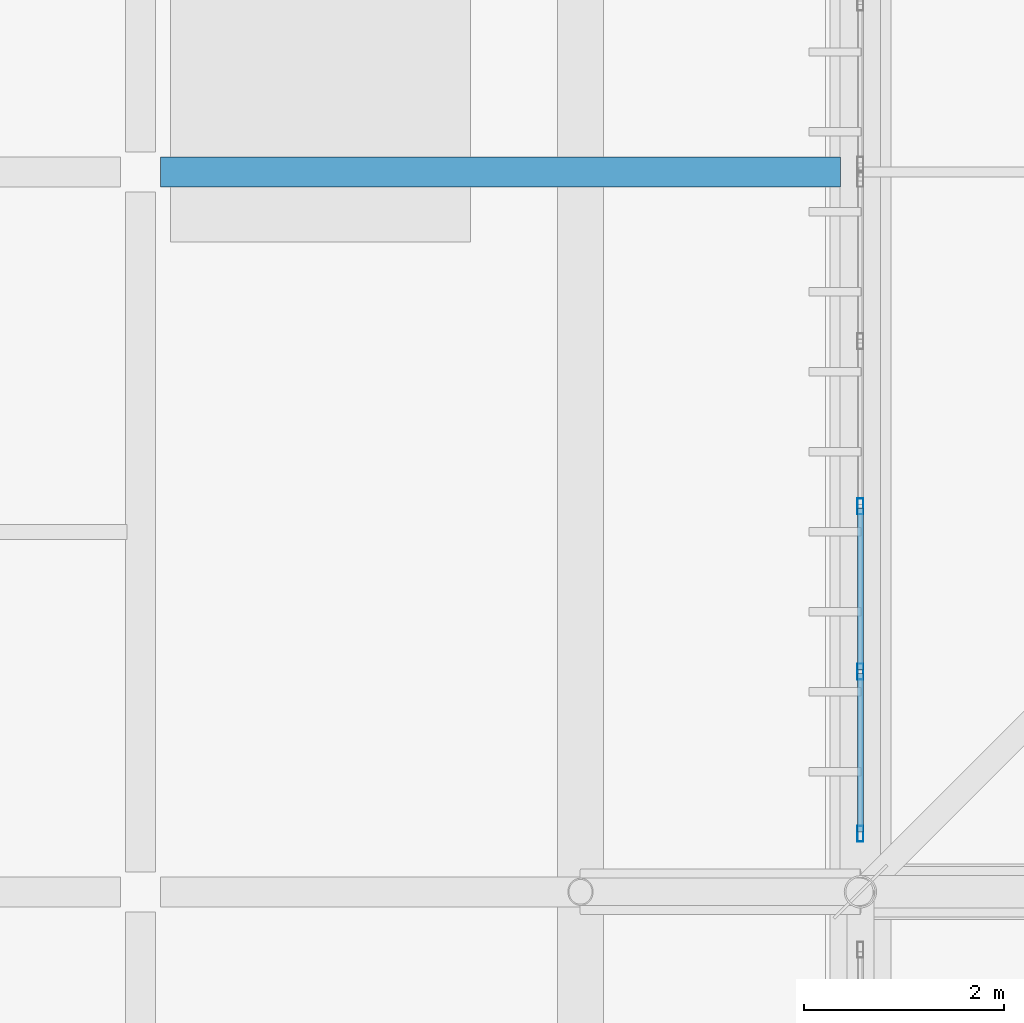
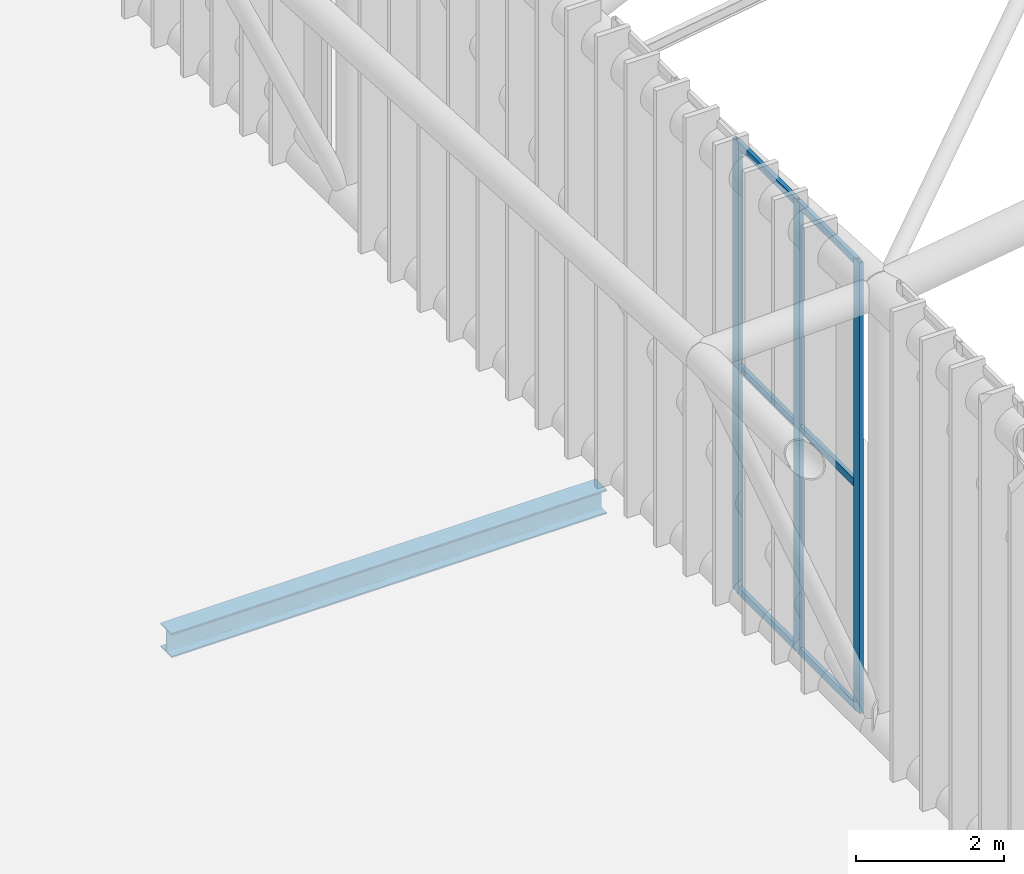
# One storey, part 175 of 397: 9 members, 1 beam, 1 element without a shape of its own.
"""IFC4 building model written with IfcOpenShell, lengths in metres."""

from ifc_helpers import new_model, si_unit, direction, frame, origin, origin_2d, place, context, subcontext, project, spatial, hollow_rectangle, i_section, extrude, material, material_profile, profile_set, type_object, element, aggregate, save


model = new_model("IFC4")

# Units and contexts
model_context = context("Model", 3, precision=1e-05, world=origin(), true_north=direction((0.0, 1.0)))
body_context = subcontext(model_context, "Body", "Model", "MODEL_VIEW")
ifc_project = project(units=[si_unit("LENGTHUNIT", "METRE"), si_unit("AREAUNIT", "SQUARE_METRE"), si_unit("VOLUMEUNIT", "CUBIC_METRE"), si_unit("PLANEANGLEUNIT", "RADIAN"), si_unit("MASSUNIT", "GRAM", prefix="KILO")], contexts=[model_context])

# Site, building, storey
site_placement = place(None, origin())
site = spatial("IfcSite", under=ifc_project, at=site_placement, CompositionType="ELEMENT")
building_placement = place(site_placement, origin())
building = spatial("IfcBuilding", under=site, at=building_placement, Name="Qandorah Velis Arena", CompositionType="ELEMENT")
storey_placement = place(building_placement, frame((0.0, 0.0, 27.5)))
storey = spatial("IfcBuildingStorey", under=building, at=storey_placement, Name="RF", CompositionType="ELEMENT", Elevation=27.5)

# Curtain wall, members
ifc_material_1 = material(Name="Solar-control low-E double glazing", Category="glass")
curtain_wall_type = type_object("IfcCurtainWallType", Name="ARC-CW-SYS05", PredefinedType="USERDEFINED", material=ifc_material_1)
curtain_wall_placement = place(storey_placement, origin())
curtain_wall = element("IfcCurtainWall", 1, at=curtain_wall_placement, inside=storey, type_object=curtain_wall_type, Name="Unitised curtain wall CROWN-1-05S1", ObjectType="UNITISED CURTAIN WALL", PredefinedType="USERDEFINED")
ifc_material_2 = material(Name="Champagne-bronze anodized aluminium 6063-T6", Category="aluminium")
ifc_material_profile_1 = material_profile(ifc_material_2, hollow_rectangle(XDim=0.06005859375, YDim=0.159912109375, WallThickness=0.00341796875, at=origin_2d()), Name="ALU MULLION 60x160")
ifc_profile_set_1 = profile_set([ifc_material_profile_1], Name="Champagne-bronze anodized aluminium 6063-T6")
member_type_1 = type_object("IfcMemberType", Name="ARC-CWM-160", PredefinedType="MULLION", material=ifc_profile_set_1)
member_1_placement = place(storey_placement, frame((14.39990234375, 72.580078125, -0.014892578125), z_axis=(0.0, 0.0, 1.0), x_axis=(-1.0, 0.0, 0.0)))
member_1 = element("IfcMember", 2, at=member_1_placement, type_object=member_type_1, Name="CW05 mullion 1", PredefinedType="MULLION", context=body_context, shape_type="SweptSolid", body=[
    extrude(hollow_rectangle(XDim=0.06005859375, YDim=0.159912109375, WallThickness=0.00341796875, at=origin_2d()), origin(), (0.0, 0.0, 1.0), 7.452392578125),
])
member_2_placement = place(storey_placement, frame((14.39990234375, 74.202392578125, -0.014892578125), z_axis=(0.0, 0.0, 1.0), x_axis=(-1.0, 0.0, 0.0)))
member_2 = element("IfcMember", 3, at=member_2_placement, type_object=member_type_1, Name="CW05 mullion 2", PredefinedType="MULLION", context=body_context, shape_type="SweptSolid", body=[
    extrude(hollow_rectangle(XDim=0.06005859375, YDim=0.159912109375, WallThickness=0.00341796875, at=origin_2d()), origin(), (0.0, 0.0, 1.0), 7.452392578125),
])
member_3_placement = place(storey_placement, frame((14.39990234375, 75.85498046875, -0.014892578125), z_axis=(0.0, 0.0, 1.0), x_axis=(-1.0, 0.0, 0.0)))
member_3 = element("IfcMember", 4, at=member_3_placement, type_object=member_type_1, Name="CW05 mullion 3", PredefinedType="MULLION", context=body_context, shape_type="SweptSolid", body=[
    extrude(hollow_rectangle(XDim=0.06005859375, YDim=0.159912109375, WallThickness=0.00341796875, at=origin_2d()), origin(), (0.0, 0.0, 1.0), 7.452392578125),
])
ifc_material_profile_2 = material_profile(ifc_material_2, hollow_rectangle(XDim=0.06005859375, YDim=0.1201171875, WallThickness=0.0029296875, at=origin_2d()), Name="ALU TRANSOM 60x120")
ifc_profile_set_2 = profile_set([ifc_material_profile_2], Name="Champagne-bronze anodized aluminium 6063-T6")
member_type_2 = type_object("IfcMemberType", Name="ARC-CWT-120", PredefinedType="USERDEFINED", material=ifc_profile_set_2)
member_4_placement = place(storey_placement, frame((14.39990234375, 72.597900390625, 0.030029296875), z_axis=(0.0, 1.0, 0.0), x_axis=(-1.0, 0.0, 0.0)))
member_4 = element("IfcMember", 5, at=member_4_placement, type_object=member_type_2, Name="CW05 transom 1.1", ObjectType="TRANSOM", PredefinedType="USERDEFINED", context=body_context, shape_type="SweptSolid", body=[
    extrude(hollow_rectangle(XDim=0.06005859375, YDim=0.1201171875, WallThickness=0.0029296875, at=origin_2d()), origin(), (0.0, 0.0, 1.0), 1.586669921875),
])
member_5_placement = place(storey_placement, frame((14.39990234375, 72.597900390625, 3.711181640625), z_axis=(0.0, 1.0, 0.0), x_axis=(-1.0, 0.0, 0.0)))
member_5 = element("IfcMember", 6, at=member_5_placement, type_object=member_type_2, Name="CW05 transom 1.2", ObjectType="TRANSOM", PredefinedType="USERDEFINED", context=body_context, shape_type="SweptSolid", body=[
    extrude(hollow_rectangle(XDim=0.06005859375, YDim=0.1201171875, WallThickness=0.0029296875, at=origin_2d()), origin(), (0.0, 0.0, 1.0), 1.586669921875),
])
member_6_placement = place(storey_placement, frame((14.39990234375, 72.597900390625, 7.392578125), z_axis=(0.0, 1.0, 0.0), x_axis=(-1.0, 0.0, 0.0)))
member_6 = element("IfcMember", 7, at=member_6_placement, type_object=member_type_2, Name="CW05 transom 1.3", ObjectType="TRANSOM", PredefinedType="USERDEFINED", context=body_context, shape_type="SweptSolid", body=[
    extrude(hollow_rectangle(XDim=0.06005859375, YDim=0.1201171875, WallThickness=0.0029296875, at=origin_2d()), origin(), (0.0, 0.0, 1.0), 1.586669921875),
])
member_7_placement = place(storey_placement, frame((14.39990234375, 74.220458984375, 0.030029296875), z_axis=(0.0, 1.0, 0.0), x_axis=(-1.0, 0.0, 0.0)))
member_7 = element("IfcMember", 8, at=member_7_placement, type_object=member_type_2, Name="CW05 transom 2.1", ObjectType="TRANSOM", PredefinedType="USERDEFINED", context=body_context, shape_type="SweptSolid", body=[
    extrude(hollow_rectangle(XDim=0.06005859375, YDim=0.1201171875, WallThickness=0.0029296875, at=origin_2d()), origin(), (0.0, 0.0, 1.0), 1.616455078125),
])
member_8_placement = place(storey_placement, frame((14.39990234375, 74.220458984375, 3.711181640625), z_axis=(0.0, 1.0, 0.0), x_axis=(-1.0, 0.0, 0.0)))
member_8 = element("IfcMember", 9, at=member_8_placement, type_object=member_type_2, Name="CW05 transom 2.2", ObjectType="TRANSOM", PredefinedType="USERDEFINED", context=body_context, shape_type="SweptSolid", body=[
    extrude(hollow_rectangle(XDim=0.06005859375, YDim=0.1201171875, WallThickness=0.0029296875, at=origin_2d()), origin(), (0.0, 0.0, 1.0), 1.616455078125),
])
member_9_placement = place(storey_placement, frame((14.39990234375, 74.220458984375, 7.392578125), z_axis=(0.0, 1.0, 0.0), x_axis=(-1.0, 0.0, 0.0)))
member_9 = element("IfcMember", 10, at=member_9_placement, type_object=member_type_2, Name="CW05 transom 2.3", ObjectType="TRANSOM", PredefinedType="USERDEFINED", context=body_context, shape_type="SweptSolid", body=[
    extrude(hollow_rectangle(XDim=0.06005859375, YDim=0.1201171875, WallThickness=0.0029296875, at=origin_2d()), origin(), (0.0, 0.0, 1.0), 1.616455078125),
])
aggregate(curtain_wall, [member_1, member_2, member_3, member_4, member_5, member_6, member_7, member_8, member_9])

# Beam
ifc_material_3 = material(Name="Steel S355", Category="steel")
ifc_material_profile_3 = material_profile(ifc_material_3, i_section(OverallWidth=0.300048828125, OverallDepth=0.39990234375, WebThickness=0.013427734375, FlangeThickness=0.02392578125, FilletRadius=0.027099609375, at=origin_2d()), Name="HEB 400")
ifc_profile_set_3 = profile_set([ifc_material_profile_3], Name="Steel S355")
beam_type = type_object("IfcBeamType", Name="STR-BM-HEB400", PredefinedType="BEAM", material=ifc_profile_set_3)
beam_placement = place(storey_placement, frame((7.39990234375, 79.199951171875, -0.419921875), z_axis=(1.0, 0.0, 0.0), x_axis=(0.0, 1.0, 0.0)))
element("IfcBeam", 11, at=beam_placement, inside=storey, type_object=beam_type, Name="Primary floor girder RF X-036", PredefinedType="BEAM", context=body_context, shape_type="SweptSolid", body=[
    extrude(i_section(OverallWidth=0.300048828125, OverallDepth=0.39990234375, WebThickness=0.013427734375, FlangeThickness=0.02392578125, FilletRadius=0.027099609375, at=origin_2d()), origin(), (0.0, 0.0, 1.0), 6.800048828125),
])

save(model, "model.ifc")
